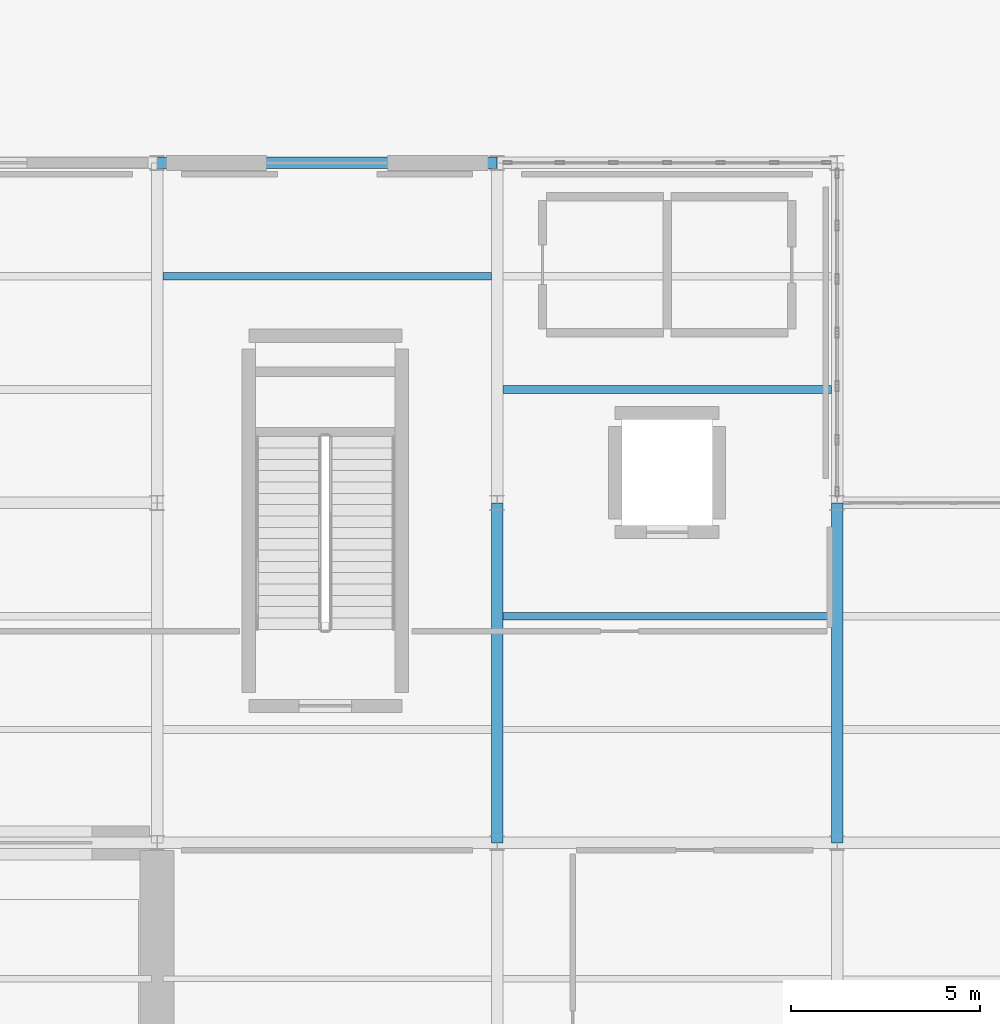
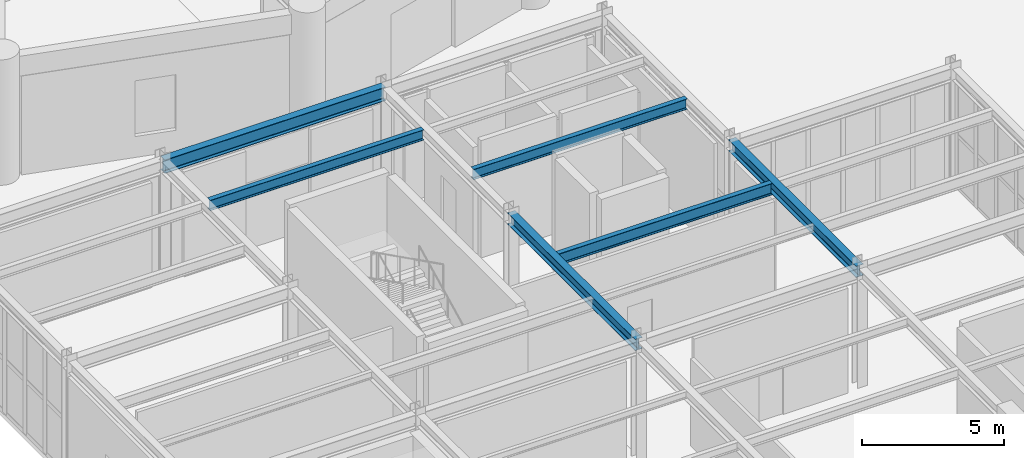
# One storey, part 30 of 140: 6 beams.
"""IFC4 building model written with IfcOpenShell, lengths in metres."""

from ifc_helpers import new_model, si_unit, direction, frame, origin, origin_2d, place, context, subcontext, project, spatial, i_section, extrude, material, material_profile, profile_set, type_object, element, save


model = new_model("IFC4")

# Units and contexts
model_context = context("Model", 3, precision=1e-05, world=origin(), true_north=direction((0.0, 1.0)))
body_context = subcontext(model_context, "Body", "Model", "MODEL_VIEW")
ifc_project = project(units=[si_unit("LENGTHUNIT", "METRE"), si_unit("AREAUNIT", "SQUARE_METRE"), si_unit("VOLUMEUNIT", "CUBIC_METRE"), si_unit("PLANEANGLEUNIT", "RADIAN"), si_unit("MASSUNIT", "GRAM", prefix="KILO")], contexts=[model_context])

# Site, building, storey
site_placement = place(None, origin())
site = spatial("IfcSite", under=ifc_project, at=site_placement, CompositionType="ELEMENT")
building_placement = place(site_placement, origin())
building = spatial("IfcBuilding", under=site, at=building_placement, Name="Haizhuo Lancet Aquarium", CompositionType="ELEMENT")
storey_placement = place(building_placement, origin())
storey = spatial("IfcBuildingStorey", under=building, at=storey_placement, Name="L00", CompositionType="ELEMENT", Elevation=0.0)

# Beams
ifc_material = material(Name="Steel S355", Category="steel")
ifc_material_profile_1 = material_profile(ifc_material, i_section(OverallWidth=0.300048828125, OverallDepth=0.488037109375, WebThickness=0.010986328125, FlangeThickness=0.01806640625, FilletRadius=0.02392578125, at=origin_2d()), Name="HM 488x300x11x18")
ifc_profile_set_1 = profile_set([ifc_material_profile_1], Name="Steel S355")
beam_type_1 = type_object("IfcBeamType", Name="BM-ST-HM488", PredefinedType="BEAM", material=ifc_profile_set_1)
for number, where, z_axis, x_axis, name in (
    (1, (0.0, -45.0, 4.8759765625), (0.0, 1.0, 0.0), (-1.0, 0.0, 0.0), "L00 V4 primary girder BM-L00-V4-014"),
    (2, (9.0, -45.0, 4.8759765625), (0.0, 1.0, 0.0), (-1.0, 0.0, 0.0), "L00 V4 primary girder BM-L00-V4-020"),
):
    element("IfcBeam", number, at=place(storey_placement, frame(where, z_axis=z_axis, x_axis=x_axis)), inside=storey, type_object=beam_type_1, Name=name, PredefinedType="BEAM", context=body_context, shape_type="SweptSolid", body=[
        extrude(i_section(OverallWidth=0.300048828125, OverallDepth=0.488037109375, WebThickness=0.010986328125, FlangeThickness=0.01806640625, FilletRadius=0.02392578125, at=origin_2d()), origin(), (0.0, 0.0, 1.0), 9.0),
    ])
ifc_material_profile_2 = material_profile(ifc_material, i_section(OverallWidth=0.300048828125, OverallDepth=0.587890625, WebThickness=0.011962890625, FlangeThickness=0.02001953125, FilletRadius=0.02587890625, at=origin_2d()), Name="HM 588x300x12x20")
ifc_profile_set_2 = profile_set([ifc_material_profile_2], Name="Steel S355")
beam_type_2 = type_object("IfcBeamType", Name="BM-ST-HM588", PredefinedType="BEAM", material=ifc_profile_set_2)
beam_1_placement = place(storey_placement, frame((-9.0, -27.0, 4.825927734375), z_axis=(1.0, 0.0, 0.0), x_axis=(0.0, 1.0, 0.0)))
element("IfcBeam", 3, at=beam_1_placement, inside=storey, type_object=beam_type_2, Name="L00 V4 primary girder BM-L00-V4-012", PredefinedType="BEAM", context=body_context, shape_type="SweptSolid", body=[
    extrude(i_section(OverallWidth=0.300048828125, OverallDepth=0.587890625, WebThickness=0.011962890625, FlangeThickness=0.02001953125, FilletRadius=0.02587890625, at=origin_2d()), origin(), (0.0, 0.0, 1.0), 9.0),
])
ifc_material_profile_3 = material_profile(ifc_material, i_section(OverallWidth=0.199951171875, OverallDepth=0.449951171875, WebThickness=0.009033203125, FlangeThickness=0.013916015625, FilletRadius=0.01806640625, at=origin_2d()), Name="HN 450x200x9x14")
ifc_profile_set_3 = profile_set([ifc_material_profile_3], Name="Steel S355")
beam_type_3 = type_object("IfcBeamType", Name="JST-ST-HN450", PredefinedType="JOIST", material=ifc_profile_set_3)
for number, where, z_axis, x_axis, name in (
    (4, (-8.85009765625, -30.0, 4.89501953125), (1.0, 0.0, 0.0), (0.0, 1.0, 0.0), "L00 V4 secondary floor joist 10"),
    (5, (0.14990234375, -33.0, 4.89501953125), (1.0, 0.0, 0.0), (0.0, 1.0, 0.0), "L00 V4 secondary floor joist 15"),
):
    element("IfcBeam", number, at=place(storey_placement, frame(where, z_axis=z_axis, x_axis=x_axis)), inside=storey, type_object=beam_type_3, Name=name, PredefinedType="JOIST", context=body_context, shape_type="SweptSolid", body=[
        extrude(i_section(OverallWidth=0.199951171875, OverallDepth=0.449951171875, WebThickness=0.009033203125, FlangeThickness=0.013916015625, FilletRadius=0.01806640625, at=origin_2d()), origin(), (0.0, 0.0, 1.0), 8.7001953125),
    ])
ifc_material_profile_4 = material_profile(ifc_material, i_section(OverallWidth=0.199951171875, OverallDepth=0.5, WebThickness=0.010009765625, FlangeThickness=0.01611328125, FilletRadius=0.02001953125, at=origin_2d()), Name="HN 500x200x10x16")
ifc_profile_set_4 = profile_set([ifc_material_profile_4], Name="Steel S355")
beam_type_4 = type_object("IfcBeamType", Name="JST-ST-HN500", PredefinedType="JOIST", material=ifc_profile_set_4)
beam_2_placement = place(storey_placement, frame((0.14990234375, -39.0, 4.8701171875), z_axis=(1.0, 0.0, 0.0), x_axis=(0.0, 1.0, 0.0)))
element("IfcBeam", 6, at=beam_2_placement, inside=storey, type_object=beam_type_4, Name="L00 V4 secondary floor joist 14", PredefinedType="JOIST", context=body_context, shape_type="SweptSolid", body=[
    extrude(i_section(OverallWidth=0.199951171875, OverallDepth=0.5, WebThickness=0.010009765625, FlangeThickness=0.01611328125, FilletRadius=0.02001953125, at=origin_2d()), origin(), (0.0, 0.0, 1.0), 8.7001953125),
])

save(model, "model.ifc")
